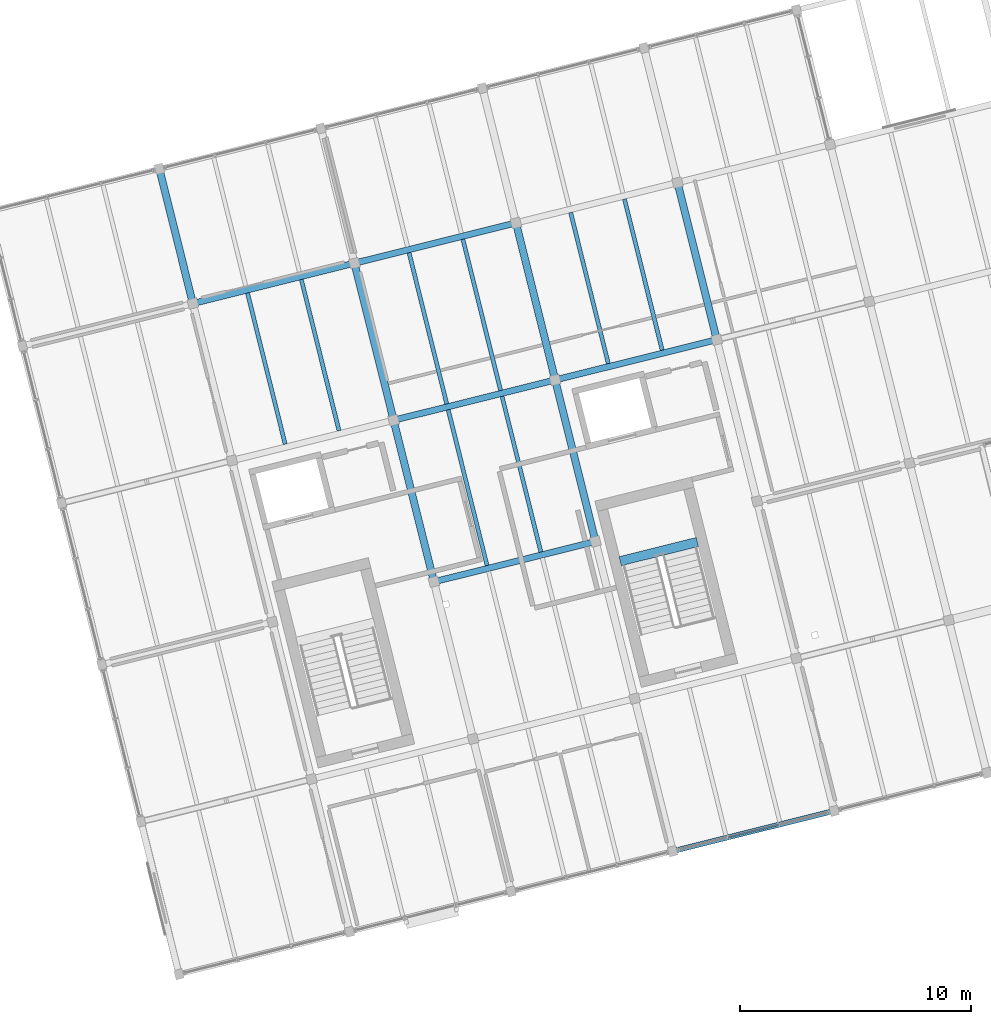
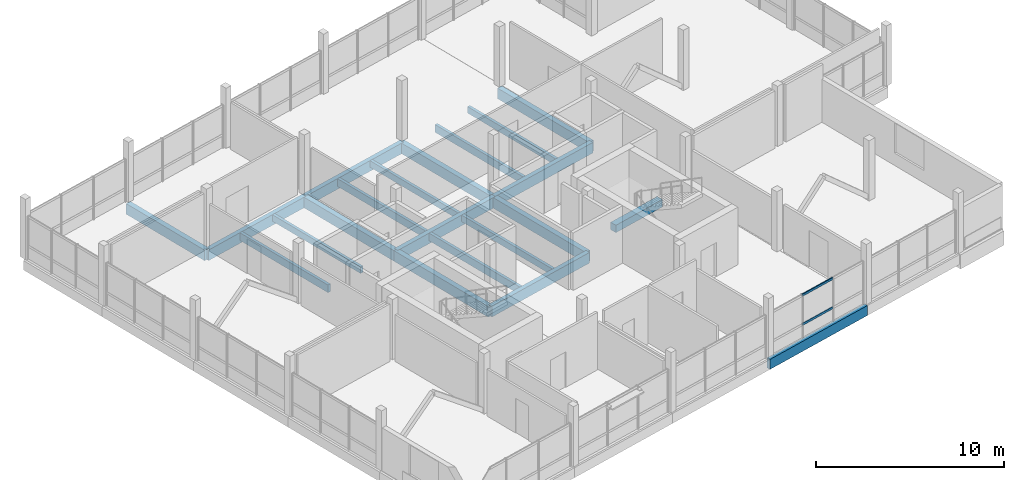
# One storey, part 10 of 27: 21 beams, 2 members, 1 element without a shape of its own.
"""IFC4 building model written with IfcOpenShell, lengths in metres."""

from ifc_helpers import new_model, si_unit, direction, frame, origin, origin_2d, place, context, subcontext, project, spatial, rectangle, hollow_rectangle, extrude, material, layer, layer_set, material_profile, profile_set, type_object, element, aggregate, save


model = new_model("IFC4")

# Units and contexts
model_context = context("Model", 3, precision=1e-05, world=origin(), true_north=direction((0.0, 1.0)))
body_context = subcontext(model_context, "Body", "Model", "MODEL_VIEW")
ifc_project = project(units=[si_unit("LENGTHUNIT", "METRE"), si_unit("AREAUNIT", "SQUARE_METRE"), si_unit("VOLUMEUNIT", "CUBIC_METRE"), si_unit("PLANEANGLEUNIT", "RADIAN"), si_unit("MASSUNIT", "GRAM", prefix="KILO")], contexts=[model_context])

# Site, building, storey
site_placement = place(None, origin())
site = spatial("IfcSite", under=ifc_project, at=site_placement, CompositionType="ELEMENT")
building_placement = place(site_placement, origin())
building = spatial("IfcBuilding", under=site, at=building_placement, Name="Meriwether Solvik Hall", CompositionType="ELEMENT")
storey_placement = place(building_placement, frame((0.0, 0.0, 33.89990234375)))
storey = spatial("IfcBuildingStorey", under=building, at=storey_placement, Name="L08", CompositionType="ELEMENT", Elevation=33.89990234375)

# Beams
ifc_material_1 = material(Name="Glulam Douglas-Fir 24F-V8 GL28h", Category="wood")
ifc_material_profile_1 = material_profile(ifc_material_1, rectangle(XDim=0.221923828125, YDim=0.64501953125, at=origin_2d()), Name="GLB-222X645")
ifc_profile_set_1 = profile_set([ifc_material_profile_1], Name="Glulam Douglas-Fir 24F-V8 GL28h")
beam_type_1 = type_object("IfcBeamType", Name="BM-GL-222X645", PredefinedType="SPANDREL", material=ifc_profile_set_1)
beam_1_placement = place(storey_placement, frame((89.946533203125, 46.522216796875, -0.50244140625), z_axis=(0.970291911955, 0.241937193493, 0.0), x_axis=(-0.241937193493, 0.970291911955, 0.0)))
element("IfcBeam", 1, at=beam_1_placement, inside=storey, type_object=beam_type_1, Name="Tower Girder TA:T4-T5 (L08)", PredefinedType="SPANDREL", context=body_context, shape_type="SweptSolid", body=[
    extrude(rectangle(XDim=0.221923828125, YDim=0.64501953125, at=origin_2d()), origin(), (0.0, 0.0, 1.0), 7.199951171875),
])
ifc_material_2 = material(Name="Glulam Douglas-Fir 24F-V8 GL28h", Category="wood")
ifc_material_profile_2 = material_profile(ifc_material_2, rectangle(XDim=0.27294921875, YDim=0.68505859375, at=origin_2d()), Name="GLB-273X685")
ifc_profile_set_2 = profile_set([ifc_material_profile_2], Name="Glulam Douglas-Fir 24F-V8 GL28h")
beam_type_2 = type_object("IfcBeamType", Name="BM-GL-273X685", PredefinedType="BEAM", material=ifc_profile_set_2)
for number, where, z_axis, x_axis, name in (
    (2, (79.621826171875, 58.17041015625, -0.5224609375), (0.970291911955, 0.241937193493, 0.0), (-0.241937193493, 0.970291911955, 0.0), "Tower Girder TC:T3-T4 (L08)"),
    (3, (77.880126953125, 65.15673828125, -0.5224609375), (0.970299871507, 0.241905269381, 0.0), (-0.241905269381, 0.970299871507, 0.0), "Tower Girder TD:T3-T4 (L08)"),
    (4, (84.8662109375, 66.8984375, -0.5224609375), (0.970291911955, 0.241937193493, 0.0), (-0.241937193493, 0.970291911955, 0.0), "Tower Girder TD:T4-T5 (L08)"),
    (5, (69.200439453125, 70.206787109375, -0.5224609375), (0.970291911955, 0.241937193493, 0.0), (-0.241937193493, 0.970291911955, 0.0), "Tower Girder TE:T2-T3 (L08)"),
    (6, (76.1865234375, 71.94873046875, -0.5224609375), (0.970291911955, 0.241937193493, 0.0), (-0.241937193493, 0.970291911955, 0.0), "Tower Girder TE:T3-T4 (L08)"),
):
    element("IfcBeam", number, at=place(storey_placement, frame(where, z_axis=z_axis, x_axis=x_axis)), inside=storey, type_object=beam_type_2, Name=name, PredefinedType="BEAM", context=body_context, shape_type="SweptSolid", body=[
        extrude(rectangle(XDim=0.27294921875, YDim=0.68505859375, at=origin_2d()), origin(), (0.0, 0.0, 1.0), 7.199951171875),
    ])
ifc_material_3 = material(Name="Glulam Douglas-Fir 24F-V8 GL28h", Category="wood")
ifc_material_profile_3 = material_profile(ifc_material_3, rectangle(XDim=0.31494140625, YDim=0.68505859375, at=origin_2d()), Name="GLB-315X685")
ifc_profile_set_3 = profile_set([ifc_material_profile_3], Name="Glulam Douglas-Fir 24F-V8 GL28h")
beam_type_3 = type_object("IfcBeamType", Name="BM-GL-315X685", PredefinedType="BEAM", material=ifc_profile_set_3)
beam_2_placement = place(storey_placement, frame((69.200439453125, 70.206787109375, -0.5224609375), z_axis=(-0.241903677572, 0.970300268359, 0.0), x_axis=(-0.970300268359, -0.241903677572, 0.0)))
element("IfcBeam", 7, at=beam_2_placement, inside=storey, type_object=beam_type_3, Name="Tower Girder T2:TE-TF (L08)", PredefinedType="BEAM", context=body_context, shape_type="SweptSolid", body=[
    extrude(rectangle(XDim=0.31494140625, YDim=0.68505859375, at=origin_2d()), origin(), (0.0, 0.0, 1.0), 6.0),
])
beam_3_placement = place(storey_placement, frame((79.621826171875, 58.17041015625, -0.5224609375), z_axis=(-0.241897310542, 0.970301855688, 0.0), x_axis=(-0.970301855688, -0.241897310542, 0.0)))
element("IfcBeam", 8, at=beam_3_placement, inside=storey, type_object=beam_type_3, Name="Tower Girder T3:TC-TD (L08)", PredefinedType="BEAM", context=body_context, shape_type="SweptSolid", body=[
    extrude(rectangle(XDim=0.31494140625, YDim=0.68505859375, at=origin_2d()), origin(), (0.0, 0.0, 1.0), 7.2001953125),
])
beam_4_placement = place(storey_placement, frame((77.880126953125, 65.15673828125, -0.5224609375), z_axis=(-0.241944715397, 0.970290036376, 0.0), x_axis=(-0.970290036376, -0.241944715397, 0.0)))
element("IfcBeam", 9, at=beam_4_placement, inside=storey, type_object=beam_type_3, Name="Tower Girder T3:TD-TE (L08)", PredefinedType="BEAM", context=body_context, shape_type="SweptSolid", body=[
    extrude(rectangle(XDim=0.31494140625, YDim=0.68505859375, at=origin_2d()), origin(), (0.0, 0.0, 1.0), 7.0),
])
beam_5_placement = place(storey_placement, frame((86.60791015625, 59.912353515625, -0.5224609375), z_axis=(-0.241905269381, 0.970299871507, 0.0), x_axis=(-0.970299871507, -0.241905269381, 0.0)))
element("IfcBeam", 10, at=beam_5_placement, inside=storey, type_object=beam_type_3, Name="Tower Girder T4:TC-TD (L08)", PredefinedType="BEAM", context=body_context, shape_type="SweptSolid", body=[
    extrude(rectangle(XDim=0.31494140625, YDim=0.68505859375, at=origin_2d()), origin(), (0.0, 0.0, 1.0), 7.199951171875),
])
beam_6_placement = place(storey_placement, frame((84.8662109375, 66.8984375, -0.5224609375), z_axis=(-0.241936527961, 0.970292077901, 0.0), x_axis=(-0.970292077901, -0.241936527961, 0.0)))
element("IfcBeam", 11, at=beam_6_placement, inside=storey, type_object=beam_type_3, Name="Tower Girder T4:TD-TE (L08)", PredefinedType="BEAM", context=body_context, shape_type="SweptSolid", body=[
    extrude(rectangle(XDim=0.31494140625, YDim=0.68505859375, at=origin_2d()), origin(), (0.0, 0.0, 1.0), 7.000244140625),
])
beam_7_placement = place(storey_placement, frame((91.852294921875, 68.640380859375, -0.5224609375), z_axis=(-0.241911879182, 0.970298223594, 0.0), x_axis=(-0.970298223594, -0.241911879182, 0.0)))
element("IfcBeam", 12, at=beam_7_placement, inside=storey, type_object=beam_type_3, Name="Tower Girder T5:TD-TE (L08)", PredefinedType="BEAM", context=body_context, shape_type="SweptSolid", body=[
    extrude(rectangle(XDim=0.31494140625, YDim=0.68505859375, at=origin_2d()), origin(), (0.0, 0.0, 1.0), 7.0),
])
ifc_material_4 = material(Name="Concrete C40/50", Category="concrete")
ifc_material_profile_4 = material_profile(ifc_material_4, rectangle(XDim=0.39990234375, YDim=0.47998046875, at=origin_2d()), Name="RCB-400X480")
ifc_profile_set_4 = profile_set([ifc_material_profile_4], Name="Concrete C40/50")
beam_type_4 = type_object("IfcBeamType", Name="BM-LND-RC-400X480", PredefinedType="BEAM", material=ifc_profile_set_4)
beam_8_placement = place(storey_placement, frame((87.67578125, 59.060302734375, 1.510009765625), z_axis=(0.970292601873, 0.24193442655, 0.0), x_axis=(-0.24193442655, 0.970292601873, 0.0)))
element("IfcBeam", 13, at=beam_8_placement, inside=storey, type_object=beam_type_4, Name="Stair ST-02 Half-Landing Header Beam (L08)", PredefinedType="BEAM", context=body_context, shape_type="SweptSolid", body=[
    extrude(rectangle(XDim=0.39990234375, YDim=0.47998046875, at=origin_2d()), origin(), (0.0, 0.0, 1.0), 3.440185546875),
])

# Curtain wall, members
ifc_material_5 = material(Name="Thermally Broken Anodised Aluminium 6063-T6 and Low-E Glass", Category="aluminium")
ifc_layer = layer(ifc_material_5, 0.179931640625)
ifc_layer_set = layer_set([ifc_layer], Name="Thermally Broken Anodised Aluminium 6063-T6 and Low-E Glass")
curtain_wall_type = type_object("IfcCurtainWallType", Name="CW-UNIT-B", PredefinedType="USERDEFINED", material=ifc_layer_set)
curtain_wall_placement = place(storey_placement, origin())
curtain_wall = element("IfcCurtainWall", 14, at=curtain_wall_placement, inside=storey, type_object=curtain_wall_type, Name="Curtain Wall E0_B3 (L08)", ObjectType="UNITISED CURTAIN WALL", PredefinedType="USERDEFINED")
ifc_material_6 = material(Name="Anodised Aluminium 6063-T6", Category="aluminium")
ifc_material_profile_5 = material_profile(ifc_material_6, hollow_rectangle(XDim=0.06494140625, YDim=0.139892578125, WallThickness=0.00439453125, at=origin_2d()), Name="CWT-65X140")
ifc_profile_set_5 = profile_set([ifc_material_profile_5], Name="Anodised Aluminium 6063-T6")
member_type = type_object("IfcMemberType", Name="CW-TRN-65X140", PredefinedType="USERDEFINED", material=ifc_profile_set_5)
member_1_placement = place(storey_placement, frame((94.5322265625, 47.66552734375, 0.837158203125), z_axis=(-0.970314425033, -0.241846886633, 0.0), x_axis=(0.241846886633, -0.970314425033, 0.0)))
member_1 = element("IfcMember", 15, at=member_1_placement, type_object=member_type, Name="Curtain Wall Transom 2-sill", ObjectType="TRANSOM", PredefinedType="USERDEFINED", context=body_context, shape_type="SweptSolid", body=[
    extrude(hollow_rectangle(XDim=0.06494140625, YDim=0.139892578125, WallThickness=0.00439453125, at=origin_2d()), origin(), (0.0, 0.0, 1.0), 2.252197265625),
])
member_2_placement = place(storey_placement, frame((94.5322265625, 47.66552734375, 2.72998046875), z_axis=(-0.970314425033, -0.241846886633, 0.0), x_axis=(0.241846886633, -0.970314425033, 0.0)))
member_2 = element("IfcMember", 16, at=member_2_placement, type_object=member_type, Name="Curtain Wall Transom 2-head", ObjectType="TRANSOM", PredefinedType="USERDEFINED", context=body_context, shape_type="SweptSolid", body=[
    extrude(hollow_rectangle(XDim=0.06494140625, YDim=0.139892578125, WallThickness=0.00439453125, at=origin_2d()), origin(), (0.0, 0.0, 1.0), 2.252197265625),
])
aggregate(curtain_wall, [member_1, member_2])

# Beams
ifc_material_7 = material(Name="Glulam Douglas-Fir 24F-V8 GL28h", Category="wood")
ifc_material_profile_6 = material_profile(ifc_material_7, rectangle(XDim=0.175048828125, YDim=0.419921875, at=origin_2d()), Name="GLJ-175X420")
ifc_profile_set_6 = profile_set([ifc_material_profile_6], Name="Glulam Douglas-Fir 24F-V8 GL28h")
beam_type_5 = type_object("IfcBeamType", Name="JST-GL-175X420", PredefinedType="JOIST", material=ifc_profile_set_6)
beam_9_placement = place(storey_placement, frame((75.51953125, 64.70361328125, -0.389892578125), z_axis=(-0.241930176813, 0.9702936615, 0.0), x_axis=(-0.9702936615, -0.241930176813, 0.0)))
element("IfcBeam", 17, at=beam_9_placement, inside=storey, type_object=beam_type_5, Name="Glulam Floor Joist T2/TD-J2 (L08)", PredefinedType="JOIST", context=body_context, shape_type="SweptSolid", body=[
    extrude(rectangle(XDim=0.175048828125, YDim=0.419921875, at=origin_2d()), origin(), (0.0, 0.0, 1.0), 6.737060546875),
])
beam_10_placement = place(storey_placement, frame((84.24755859375, 59.459228515625, -0.389892578125), z_axis=(-0.241922788949, 0.970295503539, 0.0), x_axis=(-0.970295503539, -0.241922788949, 0.0)))
element("IfcBeam", 18, at=beam_10_placement, inside=storey, type_object=beam_type_5, Name="Glulam Floor Joist T3/TC-J2 (L08)", PredefinedType="JOIST", context=body_context, shape_type="SweptSolid", body=[
    extrude(rectangle(XDim=0.175048828125, YDim=0.419921875, at=origin_2d()), origin(), (0.0, 0.0, 1.0), 6.93701171875),
])
for number, where, z_axis, x_axis, name in (
    (19, (82.505615234375, 66.445556640625, -0.389892578125), (-0.241930176813, 0.9702936615, 0.0), (-0.9702936615, -0.241930176813, 0.0), "Glulam Floor Joist T3/TD-J2 (L08)"),
    (20, (89.49169921875, 68.187255859375, -0.389892578125), (-0.241930176813, 0.9702936615, 0.0), (-0.9702936615, -0.241930176813, 0.0), "Glulam Floor Joist T4/TD-J2 (L08)"),
):
    element("IfcBeam", number, at=place(storey_placement, frame(where, z_axis=z_axis, x_axis=x_axis)), inside=storey, type_object=beam_type_5, Name=name, PredefinedType="JOIST", context=body_context, shape_type="SweptSolid", body=[
        extrude(rectangle(XDim=0.175048828125, YDim=0.419921875, at=origin_2d()), origin(), (0.0, 0.0, 1.0), 6.737060546875),
    ])
ifc_material_8 = material(Name="Glulam Douglas-Fir 24F-V8 GL28h", Category="wood")
ifc_material_profile_7 = material_profile(ifc_material_8, rectangle(XDim=0.175048828125, YDim=0.4951171875, at=origin_2d()), Name="GLJ-175X495")
ifc_profile_set_7 = profile_set([ifc_material_profile_7], Name="Glulam Douglas-Fir 24F-V8 GL28h")
beam_type_6 = type_object("IfcBeamType", Name="JST-GL-175X495", PredefinedType="JOIST", material=ifc_profile_set_7)
beam_11_placement = place(storey_placement, frame((73.190673828125, 64.123046875, -0.427490234375), z_axis=(-0.241896058636, 0.970302167789, 0.0), x_axis=(-0.970302167789, -0.241896058636, 0.0)))
element("IfcBeam", 21, at=beam_11_placement, inside=storey, type_object=beam_type_6, Name="Glulam Floor Joist T2/TD-J1 (L08)", PredefinedType="JOIST", context=body_context, shape_type="SweptSolid", body=[
    extrude(rectangle(XDim=0.175048828125, YDim=0.4951171875, at=origin_2d()), origin(), (0.0, 0.0, 1.0), 6.73681640625),
])
beam_12_placement = place(storey_placement, frame((81.918701171875, 58.878662109375, -0.427490234375), z_axis=(-0.241922788949, 0.970295503539, 0.0), x_axis=(-0.970295503539, -0.241922788949, 0.0)))
element("IfcBeam", 22, at=beam_12_placement, inside=storey, type_object=beam_type_6, Name="Glulam Floor Joist T3/TC-J1 (L08)", PredefinedType="JOIST", context=body_context, shape_type="SweptSolid", body=[
    extrude(rectangle(XDim=0.175048828125, YDim=0.4951171875, at=origin_2d()), origin(), (0.0, 0.0, 1.0), 6.93701171875),
])
beam_13_placement = place(storey_placement, frame((80.177001953125, 65.86474609375, -0.427490234375), z_axis=(-0.241921670289, 0.970295782452, 0.0), x_axis=(-0.970295782452, -0.241921670289, 0.0)))
element("IfcBeam", 23, at=beam_13_placement, inside=storey, type_object=beam_type_6, Name="Glulam Floor Joist T3/TD-J1 (L08)", PredefinedType="JOIST", context=body_context, shape_type="SweptSolid", body=[
    extrude(rectangle(XDim=0.175048828125, YDim=0.4951171875, at=origin_2d()), origin(), (0.0, 0.0, 1.0), 6.7373046875),
])
beam_14_placement = place(storey_placement, frame((87.1630859375, 67.606689453125, -0.427490234375), z_axis=(-0.241930176813, 0.9702936615, 0.0), x_axis=(-0.9702936615, -0.241930176813, 0.0)))
element("IfcBeam", 24, at=beam_14_placement, inside=storey, type_object=beam_type_6, Name="Glulam Floor Joist T4/TD-J1 (L08)", PredefinedType="JOIST", context=body_context, shape_type="SweptSolid", body=[
    extrude(rectangle(XDim=0.175048828125, YDim=0.4951171875, at=origin_2d()), origin(), (0.0, 0.0, 1.0), 6.737060546875),
])

save(model, "model.ifc")
